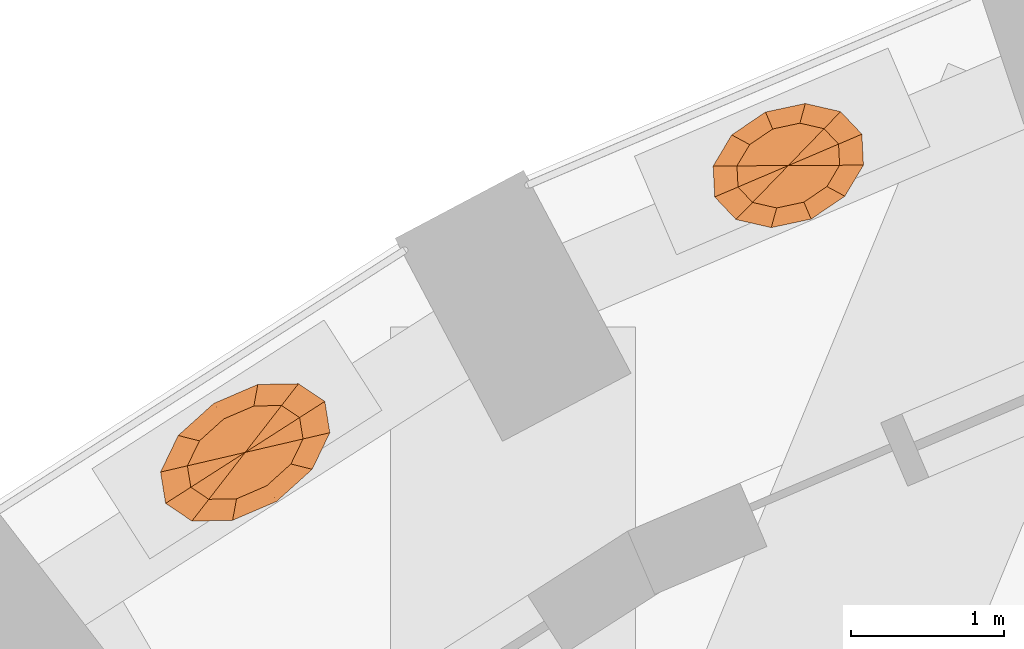
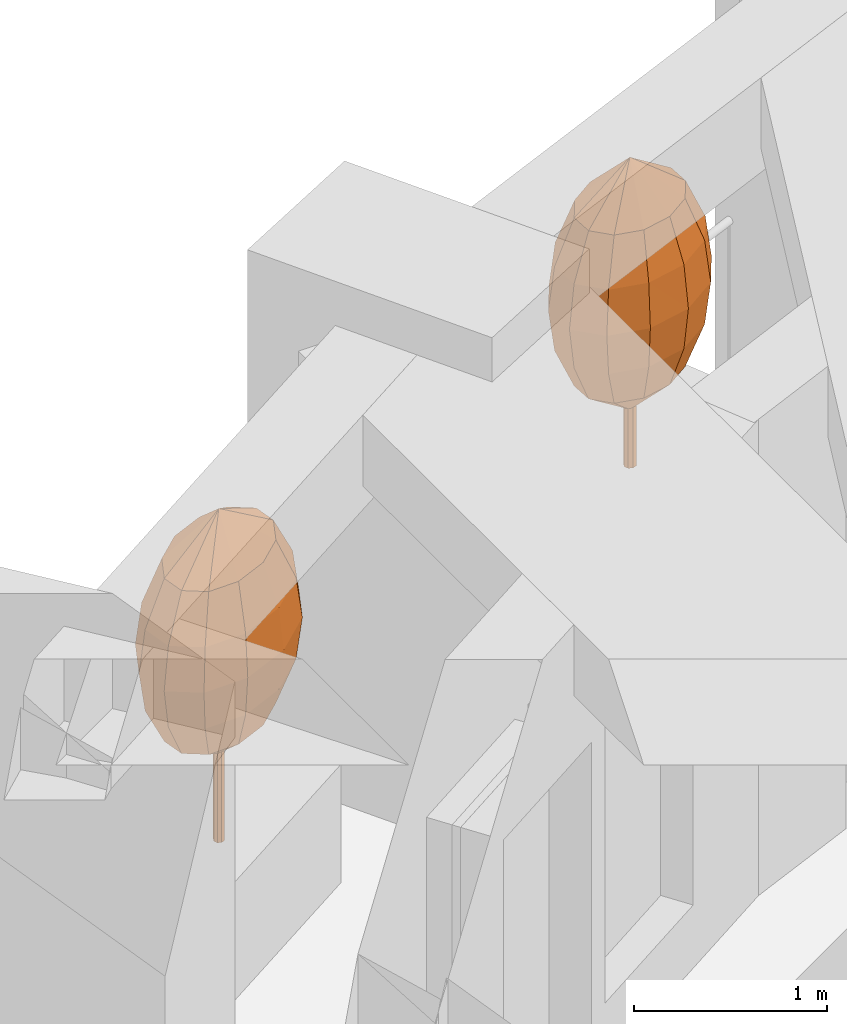
# One storey, part 12 of 12: 2 geographic elements.
"""IFC4 building model written with IfcOpenShell, lengths in metres."""

from ifc_helpers import new_model, si_unit, direction, frame, origin, place, context, subcontext, project, spatial, faceted_brep, material, constituent, constituent_set, type_object, element, save


model = new_model("IFC4")

# Units and contexts
model_context = context("Model", 3, precision=1e-05, world=origin(), true_north=direction((0.0, 1.0)))
body_context = subcontext(model_context, "Body", "Model", "MODEL_VIEW")
ifc_project = project(units=[si_unit("LENGTHUNIT", "METRE"), si_unit("AREAUNIT", "SQUARE_METRE"), si_unit("VOLUMEUNIT", "CUBIC_METRE"), si_unit("PLANEANGLEUNIT", "RADIAN"), si_unit("MASSUNIT", "GRAM", prefix="KILO")], contexts=[model_context])

# Site, building, storey
site_placement = place(None, origin())
site = spatial("IfcSite", under=ifc_project, at=site_placement, CompositionType="ELEMENT")
building_placement = place(site_placement, origin())
building = spatial("IfcBuilding", under=site, at=building_placement, Name="Taillehof Tower", CompositionType="ELEMENT")
storey_placement = place(building_placement, frame((0.0, 0.0, 164.89990234375)))
storey = spatial("IfcBuildingStorey", under=building, at=storey_placement, Name="L46", CompositionType="ELEMENT", Elevation=164.89990234375)

# Geographic elements
ifc_material_1 = material(Name="Tree bark", Category="timber")
ifc_constituent_1 = constituent(ifc_material_1, Name="Trunk", Category="timber")
ifc_material_2 = material(Name="Tree foliage")
ifc_constituent_2 = constituent(ifc_material_2, Name="Crown")
ifc_constituent_set_1 = constituent_set(constituents=[ifc_constituent_1, ifc_constituent_2], Name="Tree TR1 Columnar hornbeam")
geographic_element_type_1 = type_object("IfcGeographicElementType", Name="Tree TR1 Columnar hornbeam", PredefinedType="USERDEFINED", material=ifc_constituent_set_1)
geographic_element_1_placement = place(storey_placement, frame((-13.374267578125, 17.718994140625, 0.75)))
element("IfcGeographicElement", 1, at=geographic_element_1_placement, inside=storey, type_object=geographic_element_type_1, Name="Tree TR1 Columnar hornbeam", ObjectType="TREE", PredefinedType="USERDEFINED", context=body_context, shape_type="Brep", body=[
    faceted_brep([(0.030029296875, 0.0, 0.0), (0.021240234375, 0.021240234375, 0.0), (0.021240234375, 0.021240234375, 1.092529296875), (0.030029296875, 0.0, 1.092529296875), (0.0, 0.030029296875, 0.0), (0.0, 0.030029296875, 1.092529296875), (-0.021240234375, 0.021240234375, 0.0), (-0.021240234375, 0.021240234375, 1.092529296875), (-0.030029296875, 0.0, 0.0), (-0.030029296875, 0.0, 1.092529296875), (-0.021240234375, -0.021240234375, 0.0), (-0.021240234375, -0.021240234375, 1.092529296875), (0.0, -0.030029296875, 0.0), (0.0, -0.030029296875, 1.092529296875), (0.021240234375, -0.021240234375, 0.0), (0.021240234375, -0.021240234375, 1.092529296875)], [[[0, 1, 2, 3]], [[1, 4, 5, 2]], [[4, 6, 7, 5]], [[6, 8, 9, 7]], [[8, 10, 11, 9]], [[10, 12, 13, 11]], [[12, 14, 15, 13]], [[14, 0, 3, 15]], [[14, 12, 10, 8, 6, 4, 1, 0]], [[3, 2, 5, 7, 9, 11, 13, 15]]]),
    faceted_brep([(0.0, 0.0, 0.550048828125), (-0.237548828125, -0.306396484375, 0.808349609375), (-0.355224609375, -0.2275390625, 0.808349609375), (-0.056396484375, -0.302978515625, 0.808349609375), (0.139892578125, -0.218505859375, 0.808349609375), (0.298828125, -0.075439453125, 0.808349609375), (0.377685546875, 0.087646484375, 0.808349609375), (0.355224609375, 0.2275390625, 0.808349609375), (0.237548828125, 0.306396484375, 0.808349609375), (0.056396484375, 0.302978515625, 0.808349609375), (-0.139892578125, 0.218505859375, 0.808349609375), (-0.298828125, 0.075439453125, 0.808349609375), (-0.377685546875, -0.087646484375, 0.808349609375), (-0.3212890625, -0.414306640625, 1.066650390625), (-0.48046875, -0.3076171875, 1.066650390625), (-0.076171875, -0.409912109375, 1.066650390625), (0.189453125, -0.295654296875, 1.066650390625), (0.404296875, -0.10205078125, 1.066650390625), (0.5107421875, 0.11865234375, 1.066650390625), (0.48046875, 0.3076171875, 1.066650390625), (0.3212890625, 0.414306640625, 1.066650390625), (0.076171875, 0.409912109375, 1.066650390625), (-0.189453125, 0.295654296875, 1.066650390625), (-0.404296875, 0.10205078125, 1.066650390625), (-0.5107421875, -0.11865234375, 1.066650390625), (-0.347900390625, -0.448486328125, 1.324951171875), (-0.52001953125, -0.3330078125, 1.324951171875), (-0.08251953125, -0.443603515625, 1.324951171875), (0.205078125, -0.320068359375, 1.324951171875), (0.4375, -0.110595703125, 1.324951171875), (0.552734375, 0.12841796875, 1.324951171875), (0.52001953125, 0.3330078125, 1.324951171875), (0.347900390625, 0.448486328125, 1.324951171875), (0.08251953125, 0.443603515625, 1.324951171875), (-0.205078125, 0.320068359375, 1.324951171875), (-0.4375, 0.110595703125, 1.324951171875), (-0.552734375, -0.12841796875, 1.324951171875), (-0.3212890625, -0.414306640625, 1.583251953125), (-0.48046875, -0.3076171875, 1.583251953125), (-0.076171875, -0.409912109375, 1.583251953125), (0.189453125, -0.295654296875, 1.583251953125), (0.404296875, -0.10205078125, 1.583251953125), (0.5107421875, 0.11865234375, 1.583251953125), (0.48046875, 0.3076171875, 1.583251953125), (0.3212890625, 0.414306640625, 1.583251953125), (0.076171875, 0.409912109375, 1.583251953125), (-0.189453125, 0.295654296875, 1.583251953125), (-0.404296875, 0.10205078125, 1.583251953125), (-0.5107421875, -0.11865234375, 1.583251953125), (-0.237548828125, -0.306396484375, 1.841552734375), (-0.355224609375, -0.2275390625, 1.841552734375), (-0.056396484375, -0.302978515625, 1.841552734375), (0.139892578125, -0.218505859375, 1.841552734375), (0.298828125, -0.075439453125, 1.841552734375), (0.377685546875, 0.087646484375, 1.841552734375), (0.355224609375, 0.2275390625, 1.841552734375), (0.237548828125, 0.306396484375, 1.841552734375), (0.056396484375, 0.302978515625, 1.841552734375), (-0.139892578125, 0.218505859375, 1.841552734375), (-0.298828125, 0.075439453125, 1.841552734375), (-0.377685546875, -0.087646484375, 1.841552734375), (0.0, 0.0, 2.10009765625)], [[[0, 1, 2]], [[0, 3, 1]], [[0, 4, 3]], [[0, 5, 4]], [[0, 6, 5]], [[0, 7, 6]], [[0, 8, 7]], [[0, 9, 8]], [[0, 10, 9]], [[0, 11, 10]], [[0, 12, 11]], [[0, 2, 12]], [[2, 1, 13, 14]], [[1, 3, 15, 13]], [[3, 4, 16, 15]], [[4, 5, 17, 16]], [[5, 6, 18, 17]], [[6, 7, 19, 18]], [[7, 8, 20, 19]], [[8, 9, 21, 20]], [[9, 10, 22, 21]], [[10, 11, 23, 22]], [[11, 12, 24, 23]], [[12, 2, 14, 24]], [[14, 13, 25, 26]], [[13, 15, 27, 25]], [[15, 16, 28, 27]], [[16, 17, 29, 28]], [[17, 18, 30, 29]], [[18, 19, 31, 30]], [[19, 20, 32, 31]], [[20, 21, 33, 32]], [[21, 22, 34, 33]], [[22, 23, 35, 34]], [[23, 24, 36, 35]], [[24, 14, 26, 36]], [[26, 25, 37, 38]], [[25, 27, 39, 37]], [[27, 28, 40, 39]], [[28, 29, 41, 40]], [[29, 30, 42, 41]], [[30, 31, 43, 42]], [[31, 32, 44, 43]], [[32, 33, 45, 44]], [[33, 34, 46, 45]], [[34, 35, 47, 46]], [[35, 36, 48, 47]], [[36, 26, 38, 48]], [[38, 37, 49, 50]], [[37, 39, 51, 49]], [[39, 40, 52, 51]], [[40, 41, 53, 52]], [[41, 42, 54, 53]], [[42, 43, 55, 54]], [[43, 44, 56, 55]], [[44, 45, 57, 56]], [[45, 46, 58, 57]], [[46, 47, 59, 58]], [[47, 48, 60, 59]], [[48, 38, 50, 60]], [[50, 49, 61]], [[49, 51, 61]], [[51, 52, 61]], [[52, 53, 61]], [[53, 54, 61]], [[54, 55, 61]], [[55, 56, 61]], [[56, 57, 61]], [[57, 58, 61]], [[58, 59, 61]], [[59, 60, 61]], [[60, 50, 61]]]),
])
ifc_material_3 = material(Name="Tree bark", Category="timber")
ifc_constituent_3 = constituent(ifc_material_3, Name="Trunk", Category="timber")
ifc_material_4 = material(Name="Tree foliage")
ifc_constituent_4 = constituent(ifc_material_4, Name="Crown")
ifc_constituent_set_2 = constituent_set(constituents=[ifc_constituent_3, ifc_constituent_4], Name="Tree TR2 Fastigiate yew")
geographic_element_type_2 = type_object("IfcGeographicElementType", Name="Tree TR2 Fastigiate yew", PredefinedType="USERDEFINED", material=ifc_constituent_set_2)
geographic_element_2_placement = place(storey_placement, frame((-9.827392578125, 19.59228515625, 0.75)))
element("IfcGeographicElement", 2, at=geographic_element_2_placement, inside=storey, type_object=geographic_element_type_2, Name="Tree TR2 Fastigiate yew", ObjectType="TREE", PredefinedType="USERDEFINED", context=body_context, shape_type="Brep", body=[
    faceted_brep([(0.034912109375, 0.0, 0.0), (0.024658203125, 0.024658203125, 0.0), (0.024658203125, 0.024658203125, 0.909912109375), (0.034912109375, 0.0, 0.909912109375), (0.0, 0.034912109375, 0.0), (0.0, 0.034912109375, 0.909912109375), (-0.024658203125, 0.024658203125, 0.0), (-0.024658203125, 0.024658203125, 0.909912109375), (-0.034912109375, 0.0, 0.0), (-0.034912109375, 0.0, 0.909912109375), (-0.024658203125, -0.024658203125, 0.0), (-0.024658203125, -0.024658203125, 0.909912109375), (0.0, -0.034912109375, 0.0), (0.0, -0.034912109375, 0.909912109375), (0.024658203125, -0.024658203125, 0.0), (0.024658203125, -0.024658203125, 0.909912109375)], [[[0, 1, 2, 3]], [[1, 4, 5, 2]], [[4, 6, 7, 5]], [[6, 8, 9, 7]], [[8, 10, 11, 9]], [[10, 12, 13, 11]], [[12, 14, 15, 13]], [[14, 0, 3, 15]], [[14, 12, 10, 8, 6, 4, 1, 0]], [[3, 2, 5, 7, 9, 11, 13, 15]]]),
    faceted_brep([(0.0, 0.0, 0.35009765625), (-0.2333984375, -0.24072265625, 0.61669921875), (-0.328369140625, -0.14013671875, 0.61669921875), (-0.075927734375, -0.27685546875, 0.61669921875), (0.101806640625, -0.23876953125, 0.61669921875), (0.25244140625, -0.13671875, 0.61669921875), (0.335205078125, 0.001953125, 0.61669921875), (0.328369140625, 0.14013671875, 0.61669921875), (0.2333984375, 0.24072265625, 0.61669921875), (0.075927734375, 0.27685546875, 0.61669921875), (-0.101806640625, 0.23876953125, 0.61669921875), (-0.25244140625, 0.13671875, 0.61669921875), (-0.335205078125, -0.001953125, 0.61669921875), (-0.315673828125, -0.325439453125, 0.88330078125), (-0.444091796875, -0.189453125, 0.88330078125), (-0.102783203125, -0.374267578125, 0.88330078125), (0.1376953125, -0.322998046875, 0.88330078125), (0.34130859375, -0.18505859375, 0.88330078125), (0.453369140625, 0.002685546875, 0.88330078125), (0.444091796875, 0.189453125, 0.88330078125), (0.315673828125, 0.325439453125, 0.88330078125), (0.102783203125, 0.374267578125, 0.88330078125), (-0.1376953125, 0.322998046875, 0.88330078125), (-0.34130859375, 0.18505859375, 0.88330078125), (-0.453369140625, -0.002685546875, 0.88330078125), (-0.341552734375, -0.352294921875, 1.14990234375), (-0.480712890625, -0.205078125, 1.14990234375), (-0.111083984375, -0.4052734375, 1.14990234375), (0.149169921875, -0.349609375, 1.14990234375), (0.369384765625, -0.2001953125, 1.14990234375), (0.49072265625, 0.002685546875, 1.14990234375), (0.480712890625, 0.205078125, 1.14990234375), (0.341552734375, 0.352294921875, 1.14990234375), (0.111083984375, 0.4052734375, 1.14990234375), (-0.149169921875, 0.349609375, 1.14990234375), (-0.369384765625, 0.2001953125, 1.14990234375), (-0.49072265625, -0.002685546875, 1.14990234375), (-0.315673828125, -0.325439453125, 1.416748046875), (-0.444091796875, -0.189453125, 1.416748046875), (-0.102783203125, -0.374267578125, 1.416748046875), (0.1376953125, -0.322998046875, 1.416748046875), (0.34130859375, -0.18505859375, 1.416748046875), (0.453369140625, 0.002685546875, 1.416748046875), (0.444091796875, 0.189453125, 1.416748046875), (0.315673828125, 0.325439453125, 1.416748046875), (0.102783203125, 0.374267578125, 1.416748046875), (-0.1376953125, 0.322998046875, 1.416748046875), (-0.34130859375, 0.18505859375, 1.416748046875), (-0.453369140625, -0.002685546875, 1.416748046875), (-0.2333984375, -0.24072265625, 1.683349609375), (-0.328369140625, -0.14013671875, 1.683349609375), (-0.075927734375, -0.27685546875, 1.683349609375), (0.101806640625, -0.23876953125, 1.683349609375), (0.25244140625, -0.13671875, 1.683349609375), (0.335205078125, 0.001953125, 1.683349609375), (0.328369140625, 0.14013671875, 1.683349609375), (0.2333984375, 0.24072265625, 1.683349609375), (0.075927734375, 0.27685546875, 1.683349609375), (-0.101806640625, 0.23876953125, 1.683349609375), (-0.25244140625, 0.13671875, 1.683349609375), (-0.335205078125, -0.001953125, 1.683349609375), (0.0, 0.0, 1.949951171875)], [[[0, 1, 2]], [[0, 3, 1]], [[0, 4, 3]], [[0, 5, 4]], [[0, 6, 5]], [[0, 7, 6]], [[0, 8, 7]], [[0, 9, 8]], [[0, 10, 9]], [[0, 11, 10]], [[0, 12, 11]], [[0, 2, 12]], [[2, 1, 13, 14]], [[1, 3, 15, 13]], [[3, 4, 16, 15]], [[4, 5, 17, 16]], [[5, 6, 18, 17]], [[6, 7, 19, 18]], [[7, 8, 20, 19]], [[8, 9, 21, 20]], [[9, 10, 22, 21]], [[10, 11, 23, 22]], [[11, 12, 24, 23]], [[12, 2, 14, 24]], [[14, 13, 25, 26]], [[13, 15, 27, 25]], [[15, 16, 28, 27]], [[16, 17, 29, 28]], [[17, 18, 30, 29]], [[18, 19, 31, 30]], [[19, 20, 32, 31]], [[20, 21, 33, 32]], [[21, 22, 34, 33]], [[22, 23, 35, 34]], [[23, 24, 36, 35]], [[24, 14, 26, 36]], [[26, 25, 37, 38]], [[25, 27, 39, 37]], [[27, 28, 40, 39]], [[28, 29, 41, 40]], [[29, 30, 42, 41]], [[30, 31, 43, 42]], [[31, 32, 44, 43]], [[32, 33, 45, 44]], [[33, 34, 46, 45]], [[34, 35, 47, 46]], [[35, 36, 48, 47]], [[36, 26, 38, 48]], [[38, 37, 49, 50]], [[37, 39, 51, 49]], [[39, 40, 52, 51]], [[40, 41, 53, 52]], [[41, 42, 54, 53]], [[42, 43, 55, 54]], [[43, 44, 56, 55]], [[44, 45, 57, 56]], [[45, 46, 58, 57]], [[46, 47, 59, 58]], [[47, 48, 60, 59]], [[48, 38, 50, 60]], [[50, 49, 61]], [[49, 51, 61]], [[51, 52, 61]], [[52, 53, 61]], [[53, 54, 61]], [[54, 55, 61]], [[55, 56, 61]], [[56, 57, 61]], [[57, 58, 61]], [[58, 59, 61]], [[59, 60, 61]], [[60, 50, 61]]]),
])

save(model, "model.ifc")
